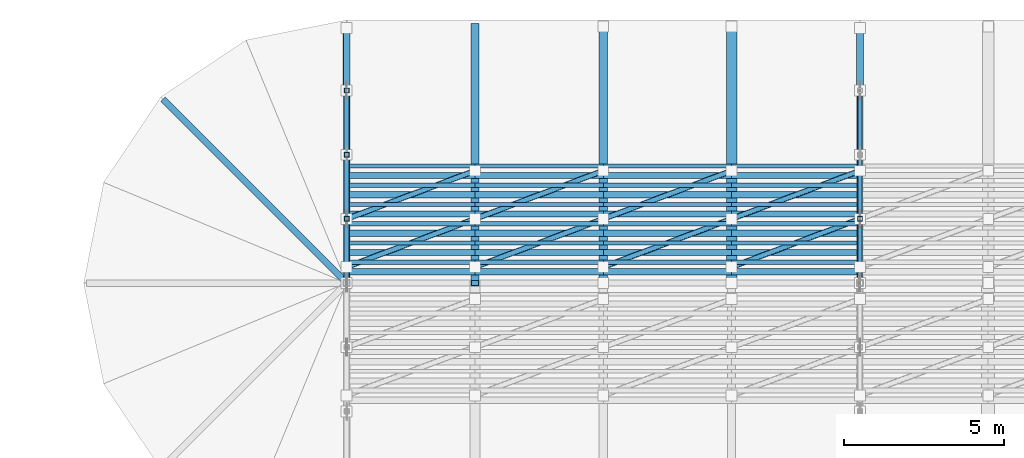
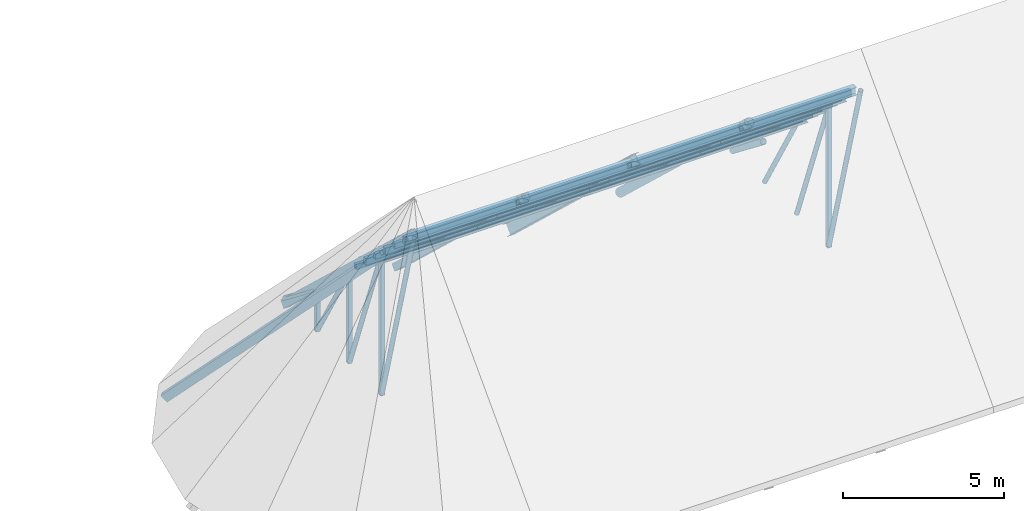
# One storey, part 3 of 18: 73 members.
"""IFC4 building model written with IfcOpenShell, lengths in metres."""

from ifc_helpers import new_model, si_unit, direction, frame, origin, origin_2d, place, context, subcontext, project, spatial, hollow_rectangle, hollow_circle, i_section, extrude, material, material_profile, profile_set, type_object, element, save


model = new_model("IFC4")

# Units and contexts
model_context = context("Model", 3, precision=1e-05, world=origin(), true_north=direction((0.0, 1.0)))
body_context = subcontext(model_context, "Body", "Model", "MODEL_VIEW")
ifc_project = project(units=[si_unit("LENGTHUNIT", "METRE"), si_unit("AREAUNIT", "SQUARE_METRE"), si_unit("VOLUMEUNIT", "CUBIC_METRE"), si_unit("PLANEANGLEUNIT", "RADIAN"), si_unit("MASSUNIT", "GRAM", prefix="KILO")], contexts=[model_context])

# Site, building, storey
site_placement = place(None, origin())
site = spatial("IfcSite", under=ifc_project, at=site_placement, CompositionType="ELEMENT")
building_placement = place(site_placement, origin())
building = spatial("IfcBuilding", under=site, at=building_placement, Name="Serraluz Foothill Cableway Terminal", CompositionType="ELEMENT")
storey_placement = place(building_placement, frame((0.0, 0.0, 24.300048828125)))
storey = spatial("IfcBuildingStorey", under=building, at=storey_placement, Name="RF", CompositionType="ELEMENT", Elevation=24.300048828125)

# Members
ifc_material_1 = material(Name="Steel ASTM A572 Grade 50", Category="steel")
ifc_material_profile_1 = material_profile(ifc_material_1, hollow_circle(Radius=0.084228515625, WallThickness=0.010009765625, at=origin_2d()), Name="CHS168X10")
ifc_profile_set_1 = profile_set([ifc_material_profile_1], Name="Steel ASTM A572 Grade 50")
member_type_1 = type_object("IfcMemberType", Name="TYP-BR-CHS168", PredefinedType="BRACE", material=ifc_profile_set_1)
member_1_placement = place(storey_placement, frame((40.0, 64.01611328125, 2.51220703125), z_axis=(0.0, 0.26797823219, -0.963424967017), x_axis=(-1.0, 0.0, 0.0)))
element("IfcMember", 1, at=member_1_placement, inside=storey, type_object=member_type_1, Name="ROOF TRUSS TR-01 Diagonal 5", PredefinedType="BRACE", context=body_context, shape_type="SweptSolid", body=[
    extrude(hollow_circle(Radius=0.084228515625, WallThickness=0.010009765625, at=origin_2d()), origin(), (0.0, 0.0, 1.0), 7.343017578125),
])
member_2_placement = place(storey_placement, frame((40.0, 66.02099609375, 0.638671875), z_axis=(0.0, 0.352230195063, -0.935913398604), x_axis=(-1.0, 0.0, 0.0)))
element("IfcMember", 2, at=member_2_placement, inside=storey, type_object=member_type_1, Name="ROOF TRUSS TR-01 Diagonal 6", PredefinedType="BRACE", context=body_context, shape_type="SweptSolid", body=[
    extrude(hollow_circle(Radius=0.084228515625, WallThickness=0.010009765625, at=origin_2d()), origin(), (0.0, 0.0, 1.0), 5.558837890625),
])
member_3_placement = place(storey_placement, frame((40.0, 68.0302734375, -1.23193359375), z_axis=(0.0, 0.502584169831, -0.864528283074), x_axis=(-1.0, 0.0, 0.0)))
element("IfcMember", 3, at=member_3_placement, inside=storey, type_object=member_type_1, Name="ROOF TRUSS TR-01 Diagonal 7", PredefinedType="BRACE", context=body_context, shape_type="SweptSolid", body=[
    extrude(hollow_circle(Radius=0.084228515625, WallThickness=0.010009765625, at=origin_2d()), origin(), (0.0, 0.0, 1.0), 3.85888671875),
])
member_4_placement = place(storey_placement, frame((56.0, 64.01611328125, 2.51220703125), z_axis=(0.0, 0.26797823219, -0.963424967017), x_axis=(-1.0, 0.0, 0.0)))
element("IfcMember", 4, at=member_4_placement, inside=storey, type_object=member_type_1, Name="ROOF TRUSS TR-02 Diagonal 5", PredefinedType="BRACE", context=body_context, shape_type="SweptSolid", body=[
    extrude(hollow_circle(Radius=0.084228515625, WallThickness=0.010009765625, at=origin_2d()), origin(), (0.0, 0.0, 1.0), 7.343017578125),
])
member_5_placement = place(storey_placement, frame((56.0, 66.02099609375, 0.638671875), z_axis=(0.0, 0.352230195063, -0.935913398604), x_axis=(-1.0, 0.0, 0.0)))
element("IfcMember", 5, at=member_5_placement, inside=storey, type_object=member_type_1, Name="ROOF TRUSS TR-02 Diagonal 6", PredefinedType="BRACE", context=body_context, shape_type="SweptSolid", body=[
    extrude(hollow_circle(Radius=0.084228515625, WallThickness=0.010009765625, at=origin_2d()), origin(), (0.0, 0.0, 1.0), 5.558837890625),
])
member_6_placement = place(storey_placement, frame((56.0, 68.0302734375, -1.23193359375), z_axis=(0.0, 0.502584169831, -0.864528283074), x_axis=(-1.0, 0.0, 0.0)))
element("IfcMember", 6, at=member_6_placement, inside=storey, type_object=member_type_1, Name="ROOF TRUSS TR-02 Diagonal 7", PredefinedType="BRACE", context=body_context, shape_type="SweptSolid", body=[
    extrude(hollow_circle(Radius=0.084228515625, WallThickness=0.010009765625, at=origin_2d()), origin(), (0.0, 0.0, 1.0), 3.85888671875),
])
for number, where, z_axis, x_axis, name in (
    (7, (40.0, 64.5, 2.171142578125), (0.889382269185, 0.333518350944, -0.31267345401), (-0.351123441588, 0.936329177569, 0.0), "Roof Lateral Wind Brace 0027"),
    (8, (40.0, 66.0, 0.764892578125), (0.889382269185, 0.333518350944, -0.31267345401), (-0.351123441588, 0.936329177569, 0.0), "Roof Lateral Wind Brace 0028"),
    (9, (44.0, 64.5, 2.171142578125), (0.889382269185, 0.333518350944, -0.31267345401), (-0.351123441588, 0.936329177569, 0.0), "Roof Lateral Wind Brace 0055"),
    (10, (44.0, 66.0, 0.764892578125), (0.889382269185, 0.333518350944, -0.31267345401), (-0.351123441588, 0.936329177569, 0.0), "Roof Lateral Wind Brace 0056"),
    (11, (48.0, 64.5, 2.171142578125), (0.889382269185, 0.333518350944, -0.31267345401), (-0.351123441588, 0.936329177569, 0.0), "Roof Lateral Wind Brace 0083"),
    (12, (48.0, 66.0, 0.764892578125), (0.889382269185, 0.333518350944, -0.31267345401), (-0.351123441588, 0.936329177569, 0.0), "Roof Lateral Wind Brace 0084"),
    (13, (52.0, 64.5, 2.171142578125), (0.889382269185, 0.333518350944, -0.31267345401), (-0.351123441588, 0.936329177569, 0.0), "Roof Lateral Wind Brace 0111"),
    (14, (52.0, 66.0, 0.764892578125), (0.889382269185, 0.333518350944, -0.31267345401), (-0.351123441588, 0.936329177569, 0.0), "Roof Lateral Wind Brace 0112"),
):
    element("IfcMember", number, at=place(storey_placement, frame(where, z_axis=z_axis, x_axis=x_axis)), inside=storey, type_object=member_type_1, Name=name, PredefinedType="BRACE", context=body_context, shape_type="SweptSolid", body=[
        extrude(hollow_circle(Radius=0.084228515625, WallThickness=0.010009765625, at=origin_2d()), origin(), (0.0, 0.0, 1.0), 4.49755859375),
    ])
ifc_material_profile_2 = material_profile(ifc_material_1, hollow_circle(Radius=0.109619140625, WallThickness=0.011962890625, at=origin_2d()), Name="CHS219X12")
ifc_profile_set_2 = profile_set([ifc_material_profile_2], Name="Steel ASTM A572 Grade 50")
member_type_2 = type_object("IfcMemberType", Name="TYP-BR-CHS219", PredefinedType="BRACE", material=ifc_profile_set_2)
for number, where, z_axis, x_axis, name in (
    (15, (40.0, 70.04736328125, -3.092041015625), (0.0, 0.787528424659, -0.616278330265), (-1.0, 0.0, 0.0), "ROOF TRUSS TR-01 Diagonal 8"),
    (16, (56.0, 70.04736328125, -3.092041015625), (0.0, 0.787528424659, -0.616278330265), (-1.0, 0.0, 0.0), "ROOF TRUSS TR-02 Diagonal 8"),
):
    element("IfcMember", number, at=place(storey_placement, frame(where, z_axis=z_axis, x_axis=x_axis)), inside=storey, type_object=member_type_2, Name=name, PredefinedType="BRACE", context=body_context, shape_type="SweptSolid", body=[
        extrude(hollow_circle(Radius=0.109619140625, WallThickness=0.011962890625, at=origin_2d()), origin(), (0.0, 0.0, 1.0), 2.419189453125),
    ])
ifc_material_profile_3 = material_profile(ifc_material_1, hollow_rectangle(XDim=0.14990234375, YDim=0.14990234375, WallThickness=0.010009765625, at=origin_2d()), Name="HSS150X150X10")
ifc_profile_set_3 = profile_set([ifc_material_profile_3], Name="Steel ASTM A572 Grade 50")
member_type_3 = type_object("IfcMemberType", Name="TYP-BR-HSS150", PredefinedType="BRACE", material=ifc_profile_set_3)
member_7_placement = place(storey_placement, frame((40.0, 66.0, -4.610107421875), z_axis=(0.0, 0.0, 1.0), x_axis=(1.0, 0.0, 0.0)))
element("IfcMember", 17, at=member_7_placement, inside=storey, type_object=member_type_3, Name="ROOF TRUSS TR-01 Web Post 5", PredefinedType="BRACE", context=body_context, shape_type="SweptSolid", body=[
    extrude(hollow_rectangle(XDim=0.14990234375, YDim=0.14990234375, WallThickness=0.010009765625, at=origin_2d()), origin(), (0.0, 0.0, 1.0), 5.295166015625),
])
member_8_placement = place(storey_placement, frame((40.0, 68.0, -4.610107421875), z_axis=(0.0, 0.0, 1.0), x_axis=(1.0, 0.0, 0.0)))
element("IfcMember", 18, at=member_8_placement, inside=storey, type_object=member_type_3, Name="ROOF TRUSS TR-01 Web Post 6", PredefinedType="BRACE", context=body_context, shape_type="SweptSolid", body=[
    extrude(hollow_rectangle(XDim=0.14990234375, YDim=0.14990234375, WallThickness=0.010009765625, at=origin_2d()), origin(), (0.0, 0.0, 1.0), 3.420166015625),
])
member_9_placement = place(storey_placement, frame((40.0, 70.0, -4.610107421875), z_axis=(0.0, 0.0, 1.0), x_axis=(1.0, 0.0, 0.0)))
element("IfcMember", 19, at=member_9_placement, inside=storey, type_object=member_type_3, Name="ROOF TRUSS TR-01 Web Post 7", PredefinedType="BRACE", context=body_context, shape_type="SweptSolid", body=[
    extrude(hollow_rectangle(XDim=0.14990234375, YDim=0.14990234375, WallThickness=0.010009765625, at=origin_2d()), origin(), (0.0, 0.0, 1.0), 1.545166015625),
])
member_10_placement = place(storey_placement, frame((56.0, 66.0, -4.610107421875), z_axis=(0.0, 0.0, 1.0), x_axis=(1.0, 0.0, 0.0)))
element("IfcMember", 20, at=member_10_placement, inside=storey, type_object=member_type_3, Name="ROOF TRUSS TR-02 Web Post 5", PredefinedType="BRACE", context=body_context, shape_type="SweptSolid", body=[
    extrude(hollow_rectangle(XDim=0.14990234375, YDim=0.14990234375, WallThickness=0.010009765625, at=origin_2d()), origin(), (0.0, 0.0, 1.0), 5.295166015625),
])
ifc_material_profile_4 = material_profile(ifc_material_1, hollow_rectangle(XDim=0.25, YDim=0.25, WallThickness=0.011962890625, at=origin_2d()), Name="HSS250X250X12")
ifc_profile_set_4 = profile_set([ifc_material_profile_4], Name="Steel ASTM A572 Grade 50")
member_type_4 = type_object("IfcMemberType", Name="TYP-CH-HSS250", PredefinedType="CHORD", material=ifc_profile_set_4)
member_11_placement = place(storey_placement, frame((44.0, 72.0, -4.800048828125), z_axis=(0.0, -0.72953720414, 0.683941128881), x_axis=(1.0, 0.0, 0.0)))
element("IfcMember", 21, at=member_11_placement, inside=storey, type_object=member_type_4, Name="Secondary Roof Rafter 0002", PredefinedType="CHORD", context=body_context, shape_type="SweptSolid", body=[
    extrude(hollow_rectangle(XDim=0.25, YDim=0.25, WallThickness=0.011962890625, at=origin_2d()), origin(), (0.0, 0.0, 1.0), 10.9658203125),
])
ifc_material_profile_5 = material_profile(ifc_material_1, hollow_rectangle(XDim=0.199951171875, YDim=0.300048828125, WallThickness=0.011962890625, at=origin_2d()), Name="HSS300X200X12")
ifc_profile_set_5 = profile_set([ifc_material_profile_5], Name="Steel ASTM A572 Grade 50")
member_type_5 = type_object("IfcMemberType", Name="TYP-CH-HSS300X200", PredefinedType="CHORD", material=ifc_profile_set_5)
member_12_placement = place(storey_placement, frame((40.0, 72.0, -4.800048828125), z_axis=(0.0, -0.72953720414, 0.683941128881), x_axis=(1.0, 0.0, 0.0)))
element("IfcMember", 22, at=member_12_placement, inside=storey, type_object=member_type_5, Name="ROOF TRUSS TR-01 Top Chord 2", PredefinedType="CHORD", context=body_context, shape_type="SweptSolid", body=[
    extrude(hollow_rectangle(XDim=0.199951171875, YDim=0.300048828125, WallThickness=0.011962890625, at=origin_2d()), origin(), (0.0, 0.0, 1.0), 10.9658203125),
])
member_13_placement = place(storey_placement, frame((34.343017578125, 69.656982421875, -4.949951171875), z_axis=(0.511062967446, -0.511062967446, 0.691107290231), x_axis=(0.707106781187, 0.707106781187, 0.0)))
element("IfcMember", 23, at=member_13_placement, inside=storey, type_object=member_type_5, Name="Rounded Apse Roof Hip Rafter W-3", PredefinedType="CHORD", context=body_context, shape_type="SweptSolid", body=[
    extrude(hollow_rectangle(XDim=0.199951171875, YDim=0.300048828125, WallThickness=0.011962890625, at=origin_2d()), origin(), (0.0, 0.0, 1.0), 11.069091796875),
])
ifc_material_profile_6 = material_profile(ifc_material_1, hollow_rectangle(XDim=0.1201171875, YDim=0.199951171875, WallThickness=0.008056640625, at=origin_2d()), Name="HSS200X120X8")
ifc_profile_set_6 = profile_set([ifc_material_profile_6], Name="Steel ASTM A572 Grade 50")
member_type_6 = type_object("IfcMemberType", Name="TYP-PR-HSS200X120", PredefinedType="PURLIN", material=ifc_profile_set_6)
for number, where, z_axis, x_axis, name in (
    (24, (40.0, 65.25, 1.488037109375), (1.0, 0.0, 0.0), (0.0, 1.0, 0.0), "Secondary Roof Purlin 0016"),
    (25, (40.0, 66.449951171875, 0.363037109375), (1.0, 0.0, 0.0), (0.0, 1.0, 0.0), "Secondary Roof Purlin 0020"),
    (26, (40.0, 67.64990234375, -0.761962890625), (1.0, 0.0, 0.0), (0.0, 1.0, 0.0), "Secondary Roof Purlin 0024"),
    (27, (44.0, 65.25, 1.488037109375), (1.0, 0.0, 0.0), (0.0, 1.0, 0.0), "Secondary Roof Purlin 0044"),
    (28, (44.0, 66.449951171875, 0.363037109375), (1.0, 0.0, 0.0), (0.0, 1.0, 0.0), "Secondary Roof Purlin 0048"),
    (29, (44.0, 67.64990234375, -0.761962890625), (1.0, 0.0, 0.0), (0.0, 1.0, 0.0), "Secondary Roof Purlin 0052"),
    (30, (48.0, 65.25, 1.488037109375), (1.0, 0.0, 0.0), (0.0, 1.0, 0.0), "Secondary Roof Purlin 0072"),
    (31, (48.0, 66.449951171875, 0.363037109375), (1.0, 0.0, 0.0), (0.0, 1.0, 0.0), "Secondary Roof Purlin 0076"),
    (32, (48.0, 67.64990234375, -0.761962890625), (1.0, 0.0, 0.0), (0.0, 1.0, 0.0), "Secondary Roof Purlin 0080"),
    (33, (52.0, 65.25, 1.488037109375), (1.0, 0.0, 0.0), (0.0, 1.0, 0.0), "Secondary Roof Purlin 0100"),
    (34, (52.0, 66.449951171875, 0.363037109375), (1.0, 0.0, 0.0), (0.0, 1.0, 0.0), "Secondary Roof Purlin 0104"),
    (35, (52.0, 67.64990234375, -0.761962890625), (1.0, 0.0, 0.0), (0.0, 1.0, 0.0), "Secondary Roof Purlin 0108"),
):
    element("IfcMember", number, at=place(storey_placement, frame(where, z_axis=z_axis, x_axis=x_axis)), inside=storey, type_object=member_type_6, Name=name, PredefinedType="PURLIN", context=body_context, shape_type="SweptSolid", body=[
        extrude(hollow_rectangle(XDim=0.1201171875, YDim=0.199951171875, WallThickness=0.008056640625, at=origin_2d()), origin(), (0.0, 0.0, 1.0), 4.0),
    ])
ifc_material_profile_7 = material_profile(ifc_material_1, hollow_rectangle(XDim=0.14990234375, YDim=0.25, WallThickness=0.010009765625, at=origin_2d()), Name="HSS250X150X10")
ifc_profile_set_7 = profile_set([ifc_material_profile_7], Name="Steel ASTM A572 Grade 50")
member_type_7 = type_object("IfcMemberType", Name="TYP-PR-HSS250X150", PredefinedType="PURLIN", material=ifc_profile_set_7)
for number, where, z_axis, x_axis, name in (
    (36, (40.0, 64.64990234375, 2.050537109375), (1.0, 0.0, 0.0), (0.0, 1.0, 0.0), "Secondary Roof Purlin 0014"),
    (37, (40.0, 65.85009765625, 0.925537109375), (1.0, 0.0, 0.0), (0.0, 1.0, 0.0), "Secondary Roof Purlin 0018"),
    (38, (40.0, 67.050048828125, -0.199462890625), (1.0, 0.0, 0.0), (0.0, 1.0, 0.0), "Secondary Roof Purlin 0022"),
    (39, (44.0, 64.64990234375, 2.050537109375), (1.0, 0.0, 0.0), (0.0, 1.0, 0.0), "Secondary Roof Purlin 0042"),
    (40, (44.0, 65.85009765625, 0.925537109375), (1.0, 0.0, 0.0), (0.0, 1.0, 0.0), "Secondary Roof Purlin 0046"),
    (41, (44.0, 67.050048828125, -0.199462890625), (1.0, 0.0, 0.0), (0.0, 1.0, 0.0), "Secondary Roof Purlin 0050"),
    (42, (48.0, 64.64990234375, 2.050537109375), (1.0, 0.0, 0.0), (0.0, 1.0, 0.0), "Secondary Roof Purlin 0070"),
    (43, (48.0, 65.85009765625, 0.925537109375), (1.0, 0.0, 0.0), (0.0, 1.0, 0.0), "Secondary Roof Purlin 0074"),
    (44, (48.0, 67.050048828125, -0.199462890625), (1.0, 0.0, 0.0), (0.0, 1.0, 0.0), "Secondary Roof Purlin 0078"),
    (45, (52.0, 64.64990234375, 2.050537109375), (1.0, 0.0, 0.0), (0.0, 1.0, 0.0), "Secondary Roof Purlin 0098"),
    (46, (52.0, 65.85009765625, 0.925537109375), (1.0, 0.0, 0.0), (0.0, 1.0, 0.0), "Secondary Roof Purlin 0102"),
    (47, (52.0, 67.050048828125, -0.199462890625), (1.0, 0.0, 0.0), (0.0, 1.0, 0.0), "Secondary Roof Purlin 0106"),
):
    element("IfcMember", number, at=place(storey_placement, frame(where, z_axis=z_axis, x_axis=x_axis)), inside=storey, type_object=member_type_7, Name=name, PredefinedType="PURLIN", context=body_context, shape_type="SweptSolid", body=[
        extrude(hollow_rectangle(XDim=0.14990234375, YDim=0.25, WallThickness=0.010009765625, at=origin_2d()), origin(), (0.0, 0.0, 1.0), 4.0),
    ])
ifc_material_2 = material(Name="Steel ASTM A992 Grade 50", Category="steel")
ifc_material_profile_8 = material_profile(ifc_material_2, i_section(OverallWidth=0.205078125, OverallDepth=0.31005859375, WebThickness=0.009521484375, FlangeThickness=0.016357421875, FilletRadius=0.012939453125, at=origin_2d()), Name="W12X50")
ifc_profile_set_8 = profile_set([ifc_material_profile_8], Name="Steel ASTM A992 Grade 50")
member_type_8 = type_object("IfcMemberType", Name="TYP-PR-W12X50", PredefinedType="PURLIN", material=ifc_profile_set_8)
for number, where, z_axis, x_axis, name in (
    (48, (40.0, 64.35009765625, 2.331787109375), (1.0, 0.0, 0.0), (0.0, 1.0, 0.0), "Secondary Roof Purlin 0013"),
    (49, (40.0, 65.550048828125, 1.206787109375), (1.0, 0.0, 0.0), (0.0, 1.0, 0.0), "Secondary Roof Purlin 0017"),
    (50, (40.0, 66.75, 0.081787109375), (1.0, 0.0, 0.0), (0.0, 1.0, 0.0), "Secondary Roof Purlin 0021"),
    (51, (44.0, 64.35009765625, 2.331787109375), (1.0, 0.0, 0.0), (0.0, 1.0, 0.0), "Secondary Roof Purlin 0041"),
    (52, (44.0, 65.550048828125, 1.206787109375), (1.0, 0.0, 0.0), (0.0, 1.0, 0.0), "Secondary Roof Purlin 0045"),
    (53, (44.0, 66.75, 0.081787109375), (1.0, 0.0, 0.0), (0.0, 1.0, 0.0), "Secondary Roof Purlin 0049"),
    (54, (48.0, 64.35009765625, 2.331787109375), (1.0, 0.0, 0.0), (0.0, 1.0, 0.0), "Secondary Roof Purlin 0069"),
    (55, (48.0, 65.550048828125, 1.206787109375), (1.0, 0.0, 0.0), (0.0, 1.0, 0.0), "Secondary Roof Purlin 0073"),
    (56, (48.0, 66.75, 0.081787109375), (1.0, 0.0, 0.0), (0.0, 1.0, 0.0), "Secondary Roof Purlin 0077"),
    (57, (52.0, 64.35009765625, 2.331787109375), (1.0, 0.0, 0.0), (0.0, 1.0, 0.0), "Secondary Roof Purlin 0097"),
    (58, (52.0, 65.550048828125, 1.206787109375), (1.0, 0.0, 0.0), (0.0, 1.0, 0.0), "Secondary Roof Purlin 0101"),
    (59, (52.0, 66.75, 0.081787109375), (1.0, 0.0, 0.0), (0.0, 1.0, 0.0), "Secondary Roof Purlin 0105"),
):
    element("IfcMember", number, at=place(storey_placement, frame(where, z_axis=z_axis, x_axis=x_axis)), inside=storey, type_object=member_type_8, Name=name, PredefinedType="PURLIN", context=body_context, shape_type="SweptSolid", body=[
        extrude(i_section(OverallWidth=0.205078125, OverallDepth=0.31005859375, WebThickness=0.009521484375, FlangeThickness=0.016357421875, FilletRadius=0.012939453125, at=origin_2d()), origin(), (0.0, 0.0, 1.0), 4.0),
    ])
ifc_material_profile_9 = material_profile(ifc_material_2, i_section(OverallWidth=0.180908203125, OverallDepth=0.4169921875, WebThickness=0.010986328125, FlangeThickness=0.018310546875, FilletRadius=0.013916015625, at=origin_2d()), Name="W16X57")
ifc_profile_set_9 = profile_set([ifc_material_profile_9], Name="Steel ASTM A992 Grade 50")
member_type_9 = type_object("IfcMemberType", Name="TYP-PR-W16X57", PredefinedType="PURLIN", material=ifc_profile_set_9)
for number, where, z_axis, x_axis, name in (
    (60, (40.0, 64.949951171875, 1.769287109375), (1.0, 0.0, 0.0), (0.0, 1.0, 0.0), "Secondary Roof Purlin 0015"),
    (61, (40.0, 66.14990234375, 0.644287109375), (1.0, 0.0, 0.0), (0.0, 1.0, 0.0), "Secondary Roof Purlin 0019"),
    (62, (40.0, 67.35009765625, -0.480712890625), (1.0, 0.0, 0.0), (0.0, 1.0, 0.0), "Secondary Roof Purlin 0023"),
    (63, (44.0, 64.949951171875, 1.769287109375), (1.0, 0.0, 0.0), (0.0, 1.0, 0.0), "Secondary Roof Purlin 0043"),
    (64, (44.0, 66.14990234375, 0.644287109375), (1.0, 0.0, 0.0), (0.0, 1.0, 0.0), "Secondary Roof Purlin 0047"),
    (65, (44.0, 67.35009765625, -0.480712890625), (1.0, 0.0, 0.0), (0.0, 1.0, 0.0), "Secondary Roof Purlin 0051"),
    (66, (48.0, 64.949951171875, 1.769287109375), (1.0, 0.0, 0.0), (0.0, 1.0, 0.0), "Secondary Roof Purlin 0071"),
    (67, (48.0, 66.14990234375, 0.644287109375), (1.0, 0.0, 0.0), (0.0, 1.0, 0.0), "Secondary Roof Purlin 0075"),
    (68, (48.0, 67.35009765625, -0.480712890625), (1.0, 0.0, 0.0), (0.0, 1.0, 0.0), "Secondary Roof Purlin 0079"),
    (69, (52.0, 64.949951171875, 1.769287109375), (1.0, 0.0, 0.0), (0.0, 1.0, 0.0), "Secondary Roof Purlin 0099"),
    (70, (52.0, 66.14990234375, 0.644287109375), (1.0, 0.0, 0.0), (0.0, 1.0, 0.0), "Secondary Roof Purlin 0103"),
    (71, (52.0, 67.35009765625, -0.480712890625), (1.0, 0.0, 0.0), (0.0, 1.0, 0.0), "Secondary Roof Purlin 0107"),
):
    element("IfcMember", number, at=place(storey_placement, frame(where, z_axis=z_axis, x_axis=x_axis)), inside=storey, type_object=member_type_9, Name=name, PredefinedType="PURLIN", context=body_context, shape_type="SweptSolid", body=[
        extrude(i_section(OverallWidth=0.180908203125, OverallDepth=0.4169921875, WebThickness=0.010986328125, FlangeThickness=0.018310546875, FilletRadius=0.013916015625, at=origin_2d()), origin(), (0.0, 0.0, 1.0), 4.0),
    ])
ifc_material_profile_10 = material_profile(ifc_material_1, hollow_circle(Radius=0.161865234375, WallThickness=0.01611328125, at=origin_2d()), Name="CHS324X16")
ifc_profile_set_10 = profile_set([ifc_material_profile_10], Name="Steel ASTM A572 Grade 50")
member_type_10 = type_object("IfcMemberType", Name="TYP-ST-CHS324", PredefinedType="STRUT", material=ifc_profile_set_10)
member_14_placement = place(storey_placement, frame((52.0, 72.0, -4.800048828125), z_axis=(0.0, -0.72953720414, 0.683941128881), x_axis=(1.0, 0.0, 0.0)))
element("IfcMember", 72, at=member_14_placement, inside=storey, type_object=member_type_10, Name="Secondary Roof Rafter 0006", PredefinedType="STRUT", context=body_context, shape_type="SweptSolid", body=[
    extrude(hollow_circle(Radius=0.161865234375, WallThickness=0.01611328125, at=origin_2d()), origin(), (0.0, 0.0, 1.0), 10.9658203125),
])
ifc_material_profile_11 = material_profile(ifc_material_2, i_section(OverallWidth=0.260009765625, OverallDepth=0.4189453125, WebThickness=0.01171875, FlangeThickness=0.019287109375, FilletRadius=0.013916015625, at=origin_2d()), Name="W16X77")
ifc_profile_set_11 = profile_set([ifc_material_profile_11], Name="Steel ASTM A992 Grade 50")
member_type_11 = type_object("IfcMemberType", Name="TYP-ST-W16X77", PredefinedType="STRUT", material=ifc_profile_set_11)
member_15_placement = place(storey_placement, frame((48.0, 72.0, -4.800048828125), z_axis=(0.0, -0.72953720414, 0.683941128881), x_axis=(1.0, 0.0, 0.0)))
element("IfcMember", 73, at=member_15_placement, inside=storey, type_object=member_type_11, Name="Secondary Roof Rafter 0004", PredefinedType="STRUT", context=body_context, shape_type="SweptSolid", body=[
    extrude(i_section(OverallWidth=0.260009765625, OverallDepth=0.4189453125, WebThickness=0.01171875, FlangeThickness=0.019287109375, FilletRadius=0.013916015625, at=origin_2d()), origin(), (0.0, 0.0, 1.0), 10.9658203125),
])

save(model, "model.ifc")
